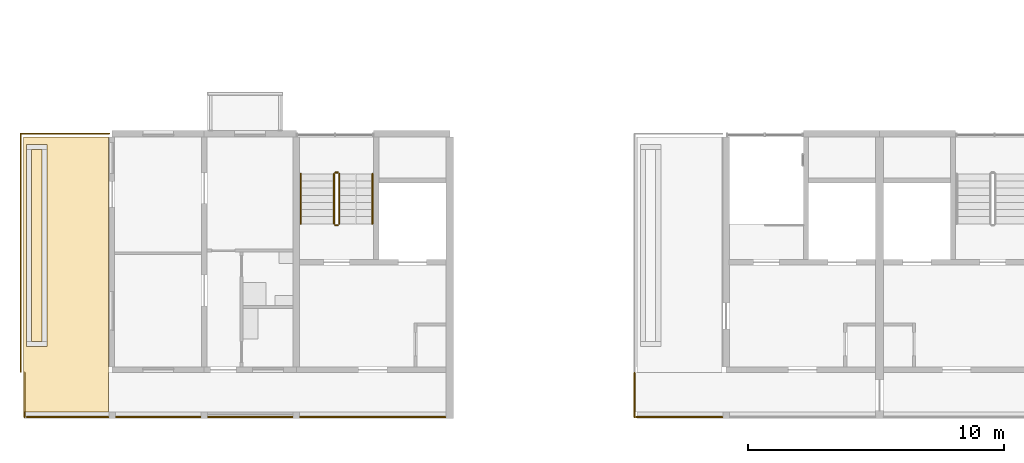
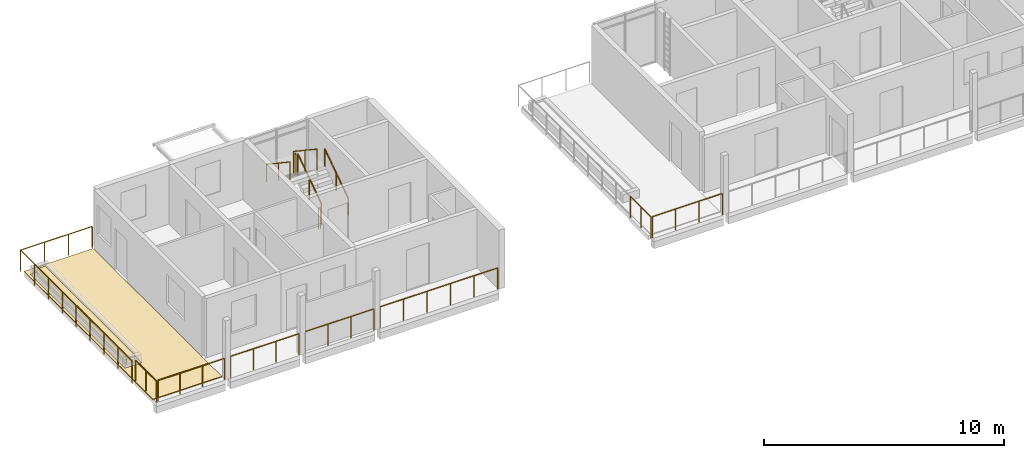
# One storey, part 43 of 55: 14 railings, 3 coverings.
"""IFC4 building model written with IfcOpenShell, lengths in metres."""

import ifcopenshell
import ifcopenshell.guid

model = None  # the IFC model being written
_history = None  # IfcOwnerHistory: only IFC2X3 demands one
_inside = {}  # id of a spatial element -> (the spatial element, [elements in it])
_under = {}  # id of a project, library or spatial element -> (it, [spatial elements below it])
_declared = {}  # id of a project -> (the project, [libraries it declares])
_typed = {}  # id of a type object -> (the type object, [elements of that type])
_made_of = {}  # id of a material, layer set ... -> (it, [elements and type objects made of it])


def new_model(schema):
    """Start an empty IFC model of exactly this schema.

    Asked for "IFC4X3", IfcOpenShell would pick the latest addendum, in which some entities
    have other attributes; the version numbers below select the first issue.
    IFC2X3 requires an IfcOwnerHistory on every rooted entity: one is made here for all.
    """
    global model, _history
    if schema == "IFC4X3":
        model = ifcopenshell.file(schema_version=(4, 3, 0, 0))
    else:
        model = ifcopenshell.file(schema=schema)
    _inside.clear()
    _under.clear()
    _declared.clear()
    _typed.clear()
    _made_of.clear()
    _history = None
    if model.schema == "IFC2X3":
        org = make("IfcOrganization", Name="unknown")
        user = make(
            "IfcPersonAndOrganization",
            ThePerson=make("IfcPerson", FamilyName="unknown"),
            TheOrganization=org,
        )
        app = make(
            "IfcApplication",
            ApplicationDeveloper=org,
            Version="unknown",
            ApplicationFullName="unknown",
            ApplicationIdentifier="unknown",
        )
        _history = make(
            "IfcOwnerHistory",
            OwningUser=user,
            OwningApplication=app,
            ChangeAction="ADDED",
            CreationDate=0,
        )
    return model


def make(cls, **values):
    """One entity of the class cls with the attributes given. An attribute that is None is left unset."""
    return model.create_entity(
        cls, **{name: value for name, value in values.items() if value is not None}
    )


def rooted(cls, **values):
    """An entity with a GlobalId (a new one), such as an element, a storey or a relation."""
    return make(cls, GlobalId=ifcopenshell.guid.new(), OwnerHistory=_history, **values)


def si_unit(unit_type, name, prefix=None):
    """IfcSIUnit, for example si_unit("LENGTHUNIT", "METRE", prefix="MILLI")."""
    return make("IfcSIUnit", UnitType=unit_type, Prefix=prefix, Name=name)


def assignment(units):
    """IfcUnitAssignment: the units of a project."""
    return None if units is None else make("IfcUnitAssignment", Units=units)


def point(xyz):
    """IfcCartesianPoint."""
    return None if xyz is None else make("IfcCartesianPoint", Coordinates=xyz)


def direction(xyz):
    """IfcDirection."""
    return None if xyz is None else make("IfcDirection", DirectionRatios=xyz)


def frame(location, z_axis=None, x_axis=None):
    """IfcAxis2Placement3D, a coordinate frame: its origin and axes. An axis left out is left unset."""
    return make(
        "IfcAxis2Placement3D",
        Location=point(location),
        Axis=direction(z_axis),
        RefDirection=direction(x_axis),
    )


def frame_2d(location, x_axis=None):
    """IfcAxis2Placement2D, a coordinate frame in the plane: its origin and x axis."""
    return make(
        "IfcAxis2Placement2D", Location=point(location), RefDirection=direction(x_axis)
    )


def origin():
    """The frame at (0, 0, 0) with its axes left unset."""
    return frame((0.0, 0.0, 0.0))


def origin_2d():
    """The frame at (0, 0) in the plane with its x axis left unset."""
    return frame_2d((0.0, 0.0))


def place(relative_to, where):
    """IfcLocalPlacement: puts the frame where relative to a parent placement (None: the world)."""
    return make(
        "IfcLocalPlacement", PlacementRelTo=relative_to, RelativePlacement=where
    )


def context(
    kind, dimensions, precision=None, world=None, true_north=None, identifier=None
):
    """IfcGeometricRepresentationContext, for example the 3D "Model" context."""
    return make(
        "IfcGeometricRepresentationContext",
        ContextIdentifier=identifier,
        ContextType=kind,
        CoordinateSpaceDimension=dimensions,
        Precision=precision,
        WorldCoordinateSystem=world,
        TrueNorth=true_north,
    )


def subcontext(parent, identifier, kind, view, scale=None):
    """IfcGeometricRepresentationSubContext, for example "Body" below "Model"."""
    return make(
        "IfcGeometricRepresentationSubContext",
        ContextIdentifier=identifier,
        ContextType=kind,
        ParentContext=parent,
        TargetScale=scale,
        TargetView=view,
    )


def project(units=None, contexts=None):
    """IfcProject with its units and contexts."""
    return rooted(
        "IfcProject",
        Name="project",
        RepresentationContexts=contexts,
        UnitsInContext=assignment(units),
    )


def spatial(cls, under=None, at=None, **own):
    """A site, building, storey or space (cls), placed at a placement, below another one or the project."""
    s = rooted(cls, ObjectPlacement=at, **own)
    if under is not None:
        _under.setdefault(under.id(), (under, []))[1].append(s)
    return s


def polyline(points):
    """IfcPolyline through the points."""
    return make("IfcPolyline", Points=[point(p) for p in points])


def profile(cls, at=None, kind="AREA", **sizes):
    """A parametric profile (cls). Its sizes go by their IFC names, for example OverallWidth=200.0."""
    return make(cls, ProfileType=kind, Position=at, **sizes)


def circle(**sizes):
    """IfcCircleProfileDef."""
    return profile("IfcCircleProfileDef", **sizes)


def outline(outer, holes=None, kind="AREA"):
    """IfcArbitraryClosedProfileDef: a profile drawn as a closed curve; with holes, ...WithVoids."""
    if holes is None:
        return make("IfcArbitraryClosedProfileDef", ProfileType=kind, OuterCurve=outer)
    return make(
        "IfcArbitraryProfileDefWithVoids",
        ProfileType=kind,
        OuterCurve=outer,
        InnerCurves=holes,
    )


def extrude(swept, where, along, depth):
    """IfcExtrudedAreaSolid: the profile swept, set in the frame where, extruded along a direction by depth."""
    return make(
        "IfcExtrudedAreaSolid",
        SweptArea=swept,
        Position=where,
        ExtrudedDirection=direction(along),
        Depth=depth,
    )


def shape(context_of_items, identifier, shape_type, items):
    """IfcShapeRepresentation: the items that make up one representation, for example the "Body"."""
    return make(
        "IfcShapeRepresentation",
        ContextOfItems=context_of_items,
        RepresentationIdentifier=identifier,
        RepresentationType=shape_type,
        Items=items,
    )


def material(Name=None, Category=None):
    """IfcMaterial."""
    return make("IfcMaterial", Name=Name, Category=Category)


def layer(
    of_material, thickness, ventilated=None, Name=None, Category=None, Priority=None
):
    """IfcMaterialLayer: one layer of a wall or slab, of a material (None: an air gap)."""
    return make(
        "IfcMaterialLayer",
        Material=of_material,
        LayerThickness=thickness,
        IsVentilated=ventilated,
        Name=Name,
        Category=Category,
        Priority=Priority,
    )


def layer_set(layers, Name=None):
    """IfcMaterialLayerSet."""
    return make("IfcMaterialLayerSet", MaterialLayers=layers, LayerSetName=Name)


def made_of(thing, what):
    """Note that an element or type object is made of a material, layer set ...; save() writes the relation."""
    if what is not None:
        _made_of.setdefault(what.id(), (what, []))[1].append(thing)
    return thing


def type_object(cls, material=None, **own):
    """A type object (cls), such as IfcWallType, which elements share."""
    return made_of(rooted(cls, **own), material)


def element(
    cls,
    number,
    at=None,
    inside=None,
    cuts=None,
    type_object=None,
    material=None,
    context=None,
    identifier="Body",
    shape_type=None,
    held_by="IfcProductDefinitionShape",
    body=None,
    shapes=None,
    **own,
):
    """One element of the class cls, such as IfcWall. Its Tag is "e" and its number.

    at: its placement. inside: the storey or other place that contains it. cuts: it is an
    opening in that element (IfcRelVoidsElement). A single representation is given by context,
    identifier, shape_type and body (its items); several are given by shapes. held_by: the class
    of the entity that holds the representations. save() writes the other relations.
    """
    e = rooted(cls, Tag="e%d" % number, ObjectPlacement=at, **own)
    if body is not None:
        shapes = [shape(context, identifier, shape_type, body)]
    if shapes is not None:
        e.Representation = make(held_by, Representations=shapes)
    if inside is not None:
        _inside.setdefault(inside.id(), (inside, []))[1].append(e)
    if cuts is not None:
        rooted(
            "IfcRelVoidsElement", RelatingBuildingElement=cuts, RelatedOpeningElement=e
        )
    if type_object is not None:
        _typed.setdefault(type_object.id(), (type_object, []))[1].append(e)
    return made_of(e, material)


def aggregate(whole, parts):
    """IfcRelAggregates: a whole, such as a stair, and the parts it consists of."""
    return rooted("IfcRelAggregates", RelatingObject=whole, RelatedObjects=parts)


def save(model, path):
    """Write the relations noted so far, then the file.

    IfcRelAggregates (storeys below a building ...), IfcRelContainedInSpatialStructure (elements
    in a storey), IfcRelDefinesByType, IfcRelAssociatesMaterial and IfcRelDeclares: one each for
    every whole, place, type object, material and project.
    """
    for whole, parts in _under.values():
        aggregate(whole, parts)
    for where, things in _inside.values():
        rooted(
            "IfcRelContainedInSpatialStructure",
            RelatedElements=things,
            RelatingStructure=where,
        )
    for kind, things in _typed.values():
        rooted("IfcRelDefinesByType", RelatedObjects=things, RelatingType=kind)
    for what, things in _made_of.values():
        rooted("IfcRelAssociatesMaterial", RelatedObjects=things, RelatingMaterial=what)
    for by, libraries in _declared.values():
        rooted("IfcRelDeclares", RelatingContext=by, RelatedDefinitions=libraries)
    model.write(path)


model = new_model("IFC4")

# Units and contexts
model_context = context("Model", 3, precision=1e-05, world=origin(), true_north=direction((0.0, 1.0)))
body_context = subcontext(model_context, "Body", "Model", "MODEL_VIEW")
ifc_project = project(units=[si_unit("LENGTHUNIT", "METRE"), si_unit("AREAUNIT", "SQUARE_METRE"), si_unit("VOLUMEUNIT", "CUBIC_METRE"), si_unit("PLANEANGLEUNIT", "RADIAN"), si_unit("MASSUNIT", "GRAM", prefix="KILO")], contexts=[model_context])

# Site, building, storey
site_placement = place(None, origin())
site = spatial("IfcSite", under=ifc_project, at=site_placement, CompositionType="ELEMENT")
building_placement = place(site_placement, origin())
building = spatial("IfcBuilding", under=site, at=building_placement, Name="Ridgestep Commons", CompositionType="ELEMENT")
storey_placement = place(building_placement, frame((0.0, 0.0, 36.0)))
storey = spatial("IfcBuildingStorey", under=building, at=storey_placement, Name="L12", CompositionType="ELEMENT", Elevation=36.0)

# Railings
ifc_material_1 = material(Name="Structural steel S355JR", Category="steel")
railing_type_1 = type_object("IfcRailingType", Name="Guard 1100", PredefinedType="GUARDRAIL", material=ifc_material_1)
railing_1_placement = place(storey_placement, frame((12.02099609375, 13.571044921875, 0.0)))
element("IfcRailing", 1, at=railing_1_placement, inside=storey, type_object=railing_type_1, Name="Guard TD-A1R1-GD", PredefinedType="GUARDRAIL", context=body_context, shape_type="SweptSolid", body=[
    extrude(circle(Radius=0.02392578125, at=origin_2d()), frame((0.0, 0.0, 1.076171875), z_axis=(0.0, 1.0, 0.0), x_axis=(-1.0, 0.0, 0.0)), (0.0, 0.0, 1.0), 9.303955078125),
    extrude(circle(Radius=0.02392578125, at=origin_2d()), frame((0.0, 9.303955078125, 1.076171875), z_axis=(1.0, 0.0, 0.0), x_axis=(0.0, 1.0, 0.0)), (0.0, 0.0, 1.0), 3.4580078125),
    extrude(circle(Radius=0.02099609375, at=origin_2d()), origin(), (0.0, 0.0, 1.0), 1.052001953125),
    extrude(circle(Radius=0.02099609375, at=origin_2d()), frame((0.0, 1.1630859375, 0.0)), (0.0, 0.0, 1.0), 1.052001953125),
    extrude(circle(Radius=0.02099609375, at=origin_2d()), frame((0.0, 2.325927734375, 0.0)), (0.0, 0.0, 1.0), 1.052001953125),
    extrude(circle(Radius=0.02099609375, at=origin_2d()), frame((0.0, 3.489013671875, 0.0)), (0.0, 0.0, 1.0), 1.052001953125),
    extrude(circle(Radius=0.02099609375, at=origin_2d()), frame((0.0, 4.65185546875, 0.0)), (0.0, 0.0, 1.0), 1.052001953125),
    extrude(circle(Radius=0.02099609375, at=origin_2d()), frame((0.0, 5.81494140625, 0.0)), (0.0, 0.0, 1.0), 1.052001953125),
    extrude(circle(Radius=0.02099609375, at=origin_2d()), frame((0.0, 6.97802734375, 0.0)), (0.0, 0.0, 1.0), 1.052001953125),
    extrude(circle(Radius=0.02099609375, at=origin_2d()), frame((0.0, 8.140869140625, 0.0)), (0.0, 0.0, 1.0), 1.052001953125),
    extrude(circle(Radius=0.02099609375, at=origin_2d()), frame((0.0, 9.303955078125, 0.0)), (0.0, 0.0, 1.0), 1.052001953125),
    extrude(circle(Radius=0.02099609375, at=origin_2d()), frame((1.152587890625, 9.303955078125, 0.0)), (0.0, 0.0, 1.0), 1.052001953125),
    extrude(circle(Radius=0.02099609375, at=origin_2d()), frame((2.305419921875, 9.303955078125, 0.0)), (0.0, 0.0, 1.0), 1.052001953125),
    extrude(circle(Radius=0.02099609375, at=origin_2d()), frame((3.4580078125, 9.303955078125, 0.0)), (0.0, 0.0, 1.0), 1.052001953125),
])
railing_2_placement = place(storey_placement, frame((12.260986328125, 11.800048828125, 0.0)))
element("IfcRailing", 2, at=railing_2_placement, inside=storey, type_object=railing_type_1, Name="Gallery guard A 12.1", PredefinedType="GUARDRAIL", context=body_context, shape_type="SweptSolid", body=[
    extrude(circle(Radius=0.02392578125, at=origin_2d()), frame((0.0, 0.0, 1.076171875), z_axis=(1.0, 0.0, 0.0), x_axis=(0.0, 1.0, 0.0)), (0.0, 0.0, 1.0), 3.193115234375),
    extrude(circle(Radius=0.02099609375, at=origin_2d()), origin(), (0.0, 0.0, 1.0), 1.052001953125),
    extrude(circle(Radius=0.02099609375, at=origin_2d()), frame((1.064453125, 0.0, 0.0)), (0.0, 0.0, 1.0), 1.052001953125),
    extrude(circle(Radius=0.02099609375, at=origin_2d()), frame((2.128662109375, 0.0, 0.0)), (0.0, 0.0, 1.0), 1.052001953125),
    extrude(circle(Radius=0.02099609375, at=origin_2d()), frame((3.193115234375, 0.0, 0.0)), (0.0, 0.0, 1.0), 1.052001953125),
])
railing_3_placement = place(storey_placement, frame((12.1708984375, 11.800048828125, 0.0)))
element("IfcRailing", 3, at=railing_3_placement, inside=storey, type_object=railing_type_1, Name="Gallery end guard A 12.1W", PredefinedType="GUARDRAIL", context=body_context, shape_type="SweptSolid", body=[
    extrude(circle(Radius=0.02392578125, at=origin_2d()), frame((0.0, 0.0, 1.076171875), z_axis=(0.0, 1.0, 0.0), x_axis=(-1.0, 0.0, 0.0)), (0.0, 0.0, 1.0), 1.72900390625),
    extrude(circle(Radius=0.02099609375, at=origin_2d()), origin(), (0.0, 0.0, 1.0), 1.052001953125),
    extrude(circle(Radius=0.02099609375, at=origin_2d()), frame((0.0, 0.864501953125, 0.0)), (0.0, 0.0, 1.0), 1.052001953125),
    extrude(circle(Radius=0.02099609375, at=origin_2d()), frame((0.0, 1.72900390625, 0.0)), (0.0, 0.0, 1.0), 1.052001953125),
])
railing_4_placement = place(storey_placement, frame((15.74609375, 11.800048828125, 0.0)))
element("IfcRailing", 4, at=railing_4_placement, inside=storey, type_object=railing_type_1, Name="Gallery guard A 12.2", PredefinedType="GUARDRAIL", context=body_context, shape_type="SweptSolid", body=[
    extrude(circle(Radius=0.02392578125, at=origin_2d()), frame((0.0, 0.0, 1.076171875), z_axis=(1.0, 0.0, 0.0), x_axis=(0.0, 1.0, 0.0)), (0.0, 0.0, 1.0), 3.307861328125),
    extrude(circle(Radius=0.02099609375, at=origin_2d()), origin(), (0.0, 0.0, 1.0), 1.052001953125),
    extrude(circle(Radius=0.02099609375, at=origin_2d()), frame((1.1025390625, 0.0, 0.0)), (0.0, 0.0, 1.0), 1.052001953125),
    extrude(circle(Radius=0.02099609375, at=origin_2d()), frame((2.205322265625, 0.0, 0.0)), (0.0, 0.0, 1.0), 1.052001953125),
    extrude(circle(Radius=0.02099609375, at=origin_2d()), frame((3.307861328125, 0.0, 0.0)), (0.0, 0.0, 1.0), 1.052001953125),
])
railing_5_placement = place(storey_placement, frame((19.345947265625, 11.800048828125, 0.0)))
element("IfcRailing", 5, at=railing_5_placement, inside=storey, type_object=railing_type_1, Name="Gallery guard A 12.3", PredefinedType="GUARDRAIL", context=body_context, shape_type="SweptSolid", body=[
    extrude(circle(Radius=0.02392578125, at=origin_2d()), frame((0.0, 0.0, 1.076171875), z_axis=(1.0, 0.0, 0.0), x_axis=(0.0, 1.0, 0.0)), (0.0, 0.0, 1.0), 3.30810546875),
    extrude(circle(Radius=0.02099609375, at=origin_2d()), origin(), (0.0, 0.0, 1.0), 1.052001953125),
    extrude(circle(Radius=0.02099609375, at=origin_2d()), frame((1.102783203125, 0.0, 0.0)), (0.0, 0.0, 1.0), 1.052001953125),
    extrude(circle(Radius=0.02099609375, at=origin_2d()), frame((2.205322265625, 0.0, 0.0)), (0.0, 0.0, 1.0), 1.052001953125),
    extrude(circle(Radius=0.02099609375, at=origin_2d()), frame((3.30810546875, 0.0, 0.0)), (0.0, 0.0, 1.0), 1.052001953125),
])
railing_6_placement = place(storey_placement, frame((22.946044921875, 11.800048828125, 0.0)))
element("IfcRailing", 6, at=railing_6_placement, inside=storey, type_object=railing_type_1, Name="Gallery guard A 12.4", PredefinedType="GUARDRAIL", context=body_context, shape_type="SweptSolid", body=[
    extrude(circle(Radius=0.02392578125, at=origin_2d()), frame((0.0, 0.0, 1.076171875), z_axis=(1.0, 0.0, 0.0), x_axis=(0.0, 1.0, 0.0)), (0.0, 0.0, 1.0), 5.682861328125),
    extrude(circle(Radius=0.02099609375, at=origin_2d()), origin(), (0.0, 0.0, 1.0), 1.052001953125),
    extrude(circle(Radius=0.02099609375, at=origin_2d()), frame((1.136474609375, 0.0, 0.0)), (0.0, 0.0, 1.0), 1.052001953125),
    extrude(circle(Radius=0.02099609375, at=origin_2d()), frame((2.273193359375, 0.0, 0.0)), (0.0, 0.0, 1.0), 1.052001953125),
    extrude(circle(Radius=0.02099609375, at=origin_2d()), frame((3.40966796875, 0.0, 0.0)), (0.0, 0.0, 1.0), 1.052001953125),
    extrude(circle(Radius=0.02099609375, at=origin_2d()), frame((4.54638671875, 0.0, 0.0)), (0.0, 0.0, 1.0), 1.052001953125),
    extrude(circle(Radius=0.02099609375, at=origin_2d()), frame((5.682861328125, 0.0, 0.0)), (0.0, 0.0, 1.0), 1.052001953125),
])
railing_7_placement = place(storey_placement, frame((36.083984375, 11.800048828125, 0.0)))
element("IfcRailing", 7, at=railing_7_placement, inside=storey, type_object=railing_type_1, Name="Gallery guard A 12.1", PredefinedType="GUARDRAIL", context=body_context, shape_type="SweptSolid", body=[
    extrude(circle(Radius=0.02392578125, at=origin_2d()), frame((0.0, 0.0, 1.076171875), z_axis=(1.0, 0.0, 0.0), x_axis=(0.0, 1.0, 0.0)), (0.0, 0.0, 1.0), 3.3701171875),
    extrude(circle(Radius=0.02099609375, at=origin_2d()), origin(), (0.0, 0.0, 1.0), 1.052001953125),
    extrude(circle(Radius=0.02099609375, at=origin_2d()), frame((1.123291015625, 0.0, 0.0)), (0.0, 0.0, 1.0), 1.052001953125),
    extrude(circle(Radius=0.02099609375, at=origin_2d()), frame((2.246826171875, 0.0, 0.0)), (0.0, 0.0, 1.0), 1.052001953125),
    extrude(circle(Radius=0.02099609375, at=origin_2d()), frame((3.3701171875, 0.0, 0.0)), (0.0, 0.0, 1.0), 1.052001953125),
])
railing_8_placement = place(storey_placement, frame((36.02099609375, 11.800048828125, 0.0)))
element("IfcRailing", 8, at=railing_8_placement, inside=storey, type_object=railing_type_1, Name="Gallery end guard A 12.1W", PredefinedType="GUARDRAIL", context=body_context, shape_type="SweptSolid", body=[
    extrude(circle(Radius=0.02392578125, at=origin_2d()), frame((0.0, 0.0, 1.076171875), z_axis=(0.0, 1.0, 0.0), x_axis=(-1.0, 0.0, 0.0)), (0.0, 0.0, 1.0), 1.72900390625),
    extrude(circle(Radius=0.02099609375, at=origin_2d()), origin(), (0.0, 0.0, 1.0), 1.052001953125),
    extrude(circle(Radius=0.02099609375, at=origin_2d()), frame((0.0, 0.864501953125, 0.0)), (0.0, 0.0, 1.0), 1.052001953125),
    extrude(circle(Radius=0.02099609375, at=origin_2d()), frame((0.0, 1.72900390625, 0.0)), (0.0, 0.0, 1.0), 1.052001953125),
])

# Covering
ifc_material_2 = material(Name="Planting soil")
ifc_layer_1 = layer(ifc_material_2, 0.35009765625)
ifc_layer_set_1 = layer_set([ifc_layer_1], Name="Planting soil 350")
covering_type_1 = type_object("IfcCoveringType", Name="Planting soil 350", PredefinedType="FLOORING", material=ifc_layer_set_1)
covering_1_placement = place(storey_placement, frame((0.0, 0.0, 0.010009765625)))
element("IfcCovering", 9, at=covering_1_placement, inside=storey, type_object=covering_type_1, Name="Planting soil A1R1", PredefinedType="FLOORING", context=body_context, shape_type="SweptSolid", body=[
    extrude(outline(polyline([(12.449951171875, 14.75), (12.85009765625, 14.75), (12.85009765625, 22.25), (12.449951171875, 22.25), (12.449951171875, 14.75)])), origin(), (0.0, 0.0, 1.0), 0.35009765625),
])

# Railings
ifc_material_3 = material(Name="Structural steel S355JR", Category="steel")
railing_type_2 = type_object("IfcRailingType", Name="Stair guard 1100", PredefinedType="GUARDRAIL", material=ifc_material_3)
railing_9_placement = place(storey_placement, frame((24.47509765625, 19.35009765625, 0.1875)))
element("IfcRailing", 10, at=railing_9_placement, inside=storey, type_object=railing_type_2, Name="L12 A1C stair guard 1", PredefinedType="GUARDRAIL", context=body_context, shape_type="SweptSolid", body=[
    extrude(circle(Radius=0.02392578125, at=origin_2d()), frame((0.0, 0.0, 1.076171875), z_axis=(0.0, 0.830902050051, 0.556418712142), x_axis=(-1.0, 0.0, 0.0)), (0.0, 0.0, 1.0), 2.35888671875),
    extrude(circle(Radius=0.02099609375, at=origin_2d()), origin(), (0.0, 0.0, 1.0), 1.052001953125),
    extrude(circle(Radius=0.02099609375, at=origin_2d()), frame((0.0, 0.97998046875, 0.65625)), (0.0, 0.0, 1.0), 1.052001953125),
    extrude(circle(Radius=0.02099609375, at=origin_2d()), frame((0.0, 1.9599609375, 1.3125)), (0.0, 0.0, 1.0), 1.052001953125),
])
railing_10_placement = place(storey_placement, frame((24.425048828125, 21.360107421875, 1.5)))
element("IfcRailing", 11, at=railing_10_placement, inside=storey, type_object=railing_type_2, Name="L12 A1C stair guard 2", PredefinedType="GUARDRAIL", context=body_context, shape_type="SweptSolid", body=[
    extrude(circle(Radius=0.02392578125, at=origin_2d()), frame((0.0, 0.0, 1.076171875), z_axis=(-1.0, 0.0, 0.0), x_axis=(0.0, -1.0, 0.0)), (0.0, 0.0, 1.0), 0.10009765625),
    extrude(circle(Radius=0.02099609375, at=origin_2d()), origin(), (0.0, 0.0, 1.0), 1.052001953125),
    extrude(circle(Radius=0.02099609375, at=origin_2d()), frame((-0.10009765625, 0.0, 0.0)), (0.0, 0.0, 1.0), 1.052001953125),
])
railing_11_placement = place(storey_placement, frame((24.27490234375, 21.31005859375, 1.6875)))
element("IfcRailing", 12, at=railing_11_placement, inside=storey, type_object=railing_type_2, Name="L12 A1C stair guard 3", PredefinedType="GUARDRAIL", context=body_context, shape_type="SweptSolid", body=[
    extrude(circle(Radius=0.02392578125, at=origin_2d()), frame((0.0, 0.0, 1.076171875), z_axis=(0.0, -0.830902050051, 0.556418712142), x_axis=(1.0, 0.0, 0.0)), (0.0, 0.0, 1.0), 2.35888671875),
    extrude(circle(Radius=0.02099609375, at=origin_2d()), origin(), (0.0, 0.0, 1.0), 1.052001953125),
    extrude(circle(Radius=0.02099609375, at=origin_2d()), frame((0.0, -0.97998046875, 0.65625)), (0.0, 0.0, 1.0), 1.052001953125),
    extrude(circle(Radius=0.02099609375, at=origin_2d()), frame((0.0, -1.9599609375, 1.3125)), (0.0, 0.0, 1.0), 1.052001953125),
])
railing_12_placement = place(storey_placement, frame((24.425048828125, 19.300048828125, 0.0)))
element("IfcRailing", 13, at=railing_12_placement, inside=storey, type_object=railing_type_2, Name="L12 A1C stair guard 4", PredefinedType="GUARDRAIL", context=body_context, shape_type="SweptSolid", body=[
    extrude(circle(Radius=0.02392578125, at=origin_2d()), frame((0.0, 0.0, 1.076171875), z_axis=(-1.0, 0.0, 0.0), x_axis=(0.0, -1.0, 0.0)), (0.0, 0.0, 1.0), 0.10009765625),
    extrude(circle(Radius=0.02099609375, at=origin_2d()), origin(), (0.0, 0.0, 1.0), 1.052001953125),
    extrude(circle(Radius=0.02099609375, at=origin_2d()), frame((-0.10009765625, 0.0, 0.0)), (0.0, 0.0, 1.0), 1.052001953125),
])
ifc_material_4 = material(Name="Structural steel S355JR", Category="steel")
railing_type_3 = type_object("IfcRailingType", Name="Stair handrail 900", PredefinedType="HANDRAIL", material=ifc_material_4)
railing_13_placement = place(storey_placement, frame((25.77490234375, 19.35009765625, 0.1875)))
element("IfcRailing", 14, at=railing_13_placement, inside=storey, type_object=railing_type_3, Name="L12 A1C stair handrail 1", PredefinedType="HANDRAIL", context=body_context, shape_type="SweptSolid", body=[
    extrude(circle(Radius=0.02392578125, at=origin_2d()), frame((0.0, 0.0, 0.8759765625), z_axis=(0.0, 0.830902050051, 0.556418712142), x_axis=(-1.0, 0.0, 0.0)), (0.0, 0.0, 1.0), 2.35888671875),
    extrude(circle(Radius=0.02099609375, at=origin_2d()), origin(), (0.0, 0.0, 1.0), 0.851806640625),
    extrude(circle(Radius=0.02099609375, at=origin_2d()), frame((0.0, 0.97998046875, 0.65625)), (0.0, 0.0, 1.0), 0.851806640625),
    extrude(circle(Radius=0.02099609375, at=origin_2d()), frame((0.0, 1.9599609375, 1.3125)), (0.0, 0.0, 1.0), 0.851806640625),
])
railing_14_placement = place(storey_placement, frame((22.97509765625, 21.31005859375, 1.6875)))
element("IfcRailing", 15, at=railing_14_placement, inside=storey, type_object=railing_type_3, Name="L12 A1C stair handrail 2", PredefinedType="HANDRAIL", context=body_context, shape_type="SweptSolid", body=[
    extrude(circle(Radius=0.02392578125, at=origin_2d()), frame((0.0, 0.0, 0.8759765625), z_axis=(0.0, -0.830902050051, 0.556418712142), x_axis=(1.0, 0.0, 0.0)), (0.0, 0.0, 1.0), 2.35888671875),
    extrude(circle(Radius=0.02099609375, at=origin_2d()), origin(), (0.0, 0.0, 1.0), 0.851806640625),
    extrude(circle(Radius=0.02099609375, at=origin_2d()), frame((0.0, -0.97998046875, 0.65625)), (0.0, 0.0, 1.0), 0.851806640625),
    extrude(circle(Radius=0.02099609375, at=origin_2d()), frame((0.0, -1.9599609375, 1.3125)), (0.0, 0.0, 1.0), 0.851806640625),
])

# Coverings
ifc_material_5 = material(Name="Bitumen membrane, two layer")
ifc_layer_2 = layer(ifc_material_5, 0.010009765625)
ifc_layer_set_2 = layer_set([ifc_layer_2], Name="Terrace membrane 10")
covering_type_2 = type_object("IfcCoveringType", Name="Terrace membrane 10", PredefinedType="ROOFING", material=ifc_layer_set_2)
covering_2_placement = place(storey_placement, origin())
element("IfcCovering", 16, at=covering_2_placement, inside=storey, type_object=covering_type_2, Name="Terrace membrane A1R1", PredefinedType="ROOFING", context=body_context, shape_type="SweptSolid", body=[
    extrude(outline(polyline([(15.449951171875, 12.0), (15.449951171875, 22.75), (12.125, 22.75), (12.125, 12.0), (15.449951171875, 12.0)]), holes=[polyline([(13.050048828125, 14.550048828125), (13.050048828125, 22.449951171875), (12.25, 22.449951171875), (12.25, 14.550048828125), (13.050048828125, 14.550048828125)])]), origin(), (0.0, 0.0, 1.0), 0.010009765625),
])
ifc_material_6 = material(Name="Concrete paving slab", Category="concrete")
ifc_layer_3 = layer(ifc_material_6, 0.030029296875)
ifc_layer_set_3 = layer_set([ifc_layer_3], Name="Terrace paving 30")
covering_type_3 = type_object("IfcCoveringType", Name="Terrace paving 30", PredefinedType="FLOORING", material=ifc_layer_set_3)
covering_3_placement = place(storey_placement, frame((0.0, 0.0, 0.010009765625)))
element("IfcCovering", 17, at=covering_3_placement, inside=storey, type_object=covering_type_3, Name="Terrace paving A1R1", PredefinedType="FLOORING", context=body_context, shape_type="SweptSolid", body=[
    extrude(outline(polyline([(15.449951171875, 12.0), (15.449951171875, 22.75), (12.125, 22.75), (12.125, 12.0), (15.449951171875, 12.0)]), holes=[polyline([(13.050048828125, 14.550048828125), (13.050048828125, 22.449951171875), (12.25, 22.449951171875), (12.25, 14.550048828125), (13.050048828125, 14.550048828125)])]), origin(), (0.0, 0.0, 1.0), 0.030029296875),
])

save(model, "model.ifc")
